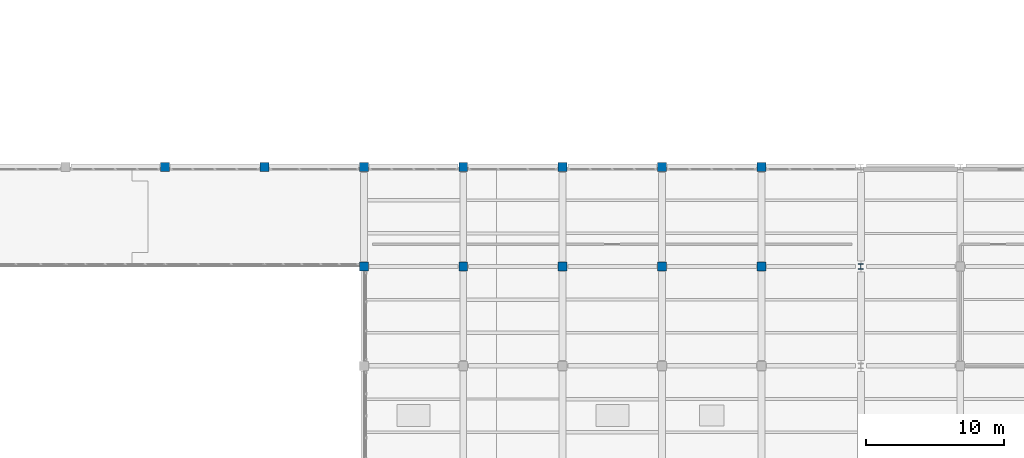
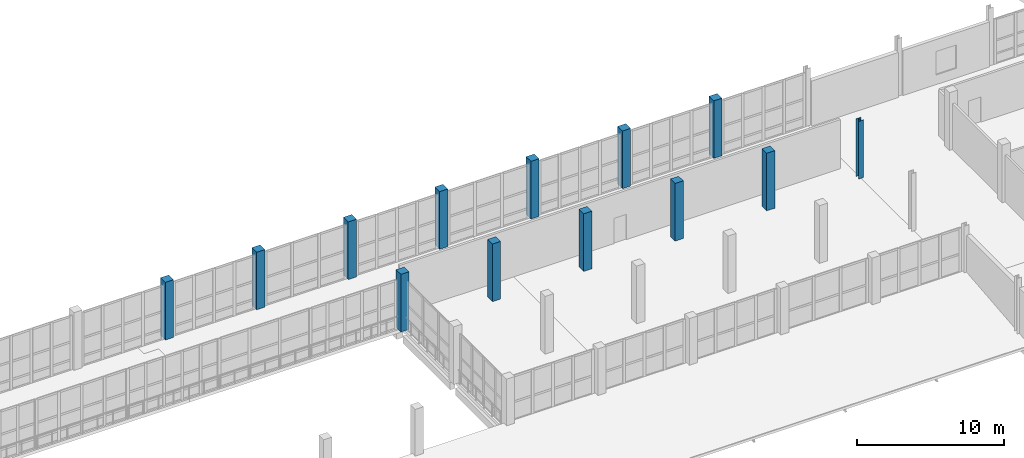
# One storey, part 3 of 127: 13 columns.
"""IFC4 building model written with IfcOpenShell, lengths in metres."""

import ifcopenshell
import ifcopenshell.guid

model = None  # the IFC model being written
_history = None  # IfcOwnerHistory: only IFC2X3 demands one
_inside = {}  # id of a spatial element -> (the spatial element, [elements in it])
_under = {}  # id of a project, library or spatial element -> (it, [spatial elements below it])
_declared = {}  # id of a project -> (the project, [libraries it declares])
_typed = {}  # id of a type object -> (the type object, [elements of that type])
_made_of = {}  # id of a material, layer set ... -> (it, [elements and type objects made of it])


def new_model(schema):
    """Start an empty IFC model of exactly this schema.

    Asked for "IFC4X3", IfcOpenShell would pick the latest addendum, in which some entities
    have other attributes; the version numbers below select the first issue.
    IFC2X3 requires an IfcOwnerHistory on every rooted entity: one is made here for all.
    """
    global model, _history
    if schema == "IFC4X3":
        model = ifcopenshell.file(schema_version=(4, 3, 0, 0))
    else:
        model = ifcopenshell.file(schema=schema)
    _inside.clear()
    _under.clear()
    _declared.clear()
    _typed.clear()
    _made_of.clear()
    _history = None
    if model.schema == "IFC2X3":
        org = make("IfcOrganization", Name="unknown")
        user = make(
            "IfcPersonAndOrganization",
            ThePerson=make("IfcPerson", FamilyName="unknown"),
            TheOrganization=org,
        )
        app = make(
            "IfcApplication",
            ApplicationDeveloper=org,
            Version="unknown",
            ApplicationFullName="unknown",
            ApplicationIdentifier="unknown",
        )
        _history = make(
            "IfcOwnerHistory",
            OwningUser=user,
            OwningApplication=app,
            ChangeAction="ADDED",
            CreationDate=0,
        )
    return model


def make(cls, **values):
    """One entity of the class cls with the attributes given. An attribute that is None is left unset."""
    return model.create_entity(
        cls, **{name: value for name, value in values.items() if value is not None}
    )


def rooted(cls, **values):
    """An entity with a GlobalId (a new one), such as an element, a storey or a relation."""
    return make(cls, GlobalId=ifcopenshell.guid.new(), OwnerHistory=_history, **values)


def si_unit(unit_type, name, prefix=None):
    """IfcSIUnit, for example si_unit("LENGTHUNIT", "METRE", prefix="MILLI")."""
    return make("IfcSIUnit", UnitType=unit_type, Prefix=prefix, Name=name)


def assignment(units):
    """IfcUnitAssignment: the units of a project."""
    return None if units is None else make("IfcUnitAssignment", Units=units)


def point(xyz):
    """IfcCartesianPoint."""
    return None if xyz is None else make("IfcCartesianPoint", Coordinates=xyz)


def direction(xyz):
    """IfcDirection."""
    return None if xyz is None else make("IfcDirection", DirectionRatios=xyz)


def frame(location, z_axis=None, x_axis=None):
    """IfcAxis2Placement3D, a coordinate frame: its origin and axes. An axis left out is left unset."""
    return make(
        "IfcAxis2Placement3D",
        Location=point(location),
        Axis=direction(z_axis),
        RefDirection=direction(x_axis),
    )


def frame_2d(location, x_axis=None):
    """IfcAxis2Placement2D, a coordinate frame in the plane: its origin and x axis."""
    return make(
        "IfcAxis2Placement2D", Location=point(location), RefDirection=direction(x_axis)
    )


def origin():
    """The frame at (0, 0, 0) with its axes left unset."""
    return frame((0.0, 0.0, 0.0))


def origin_2d():
    """The frame at (0, 0) in the plane with its x axis left unset."""
    return frame_2d((0.0, 0.0))


def place(relative_to, where):
    """IfcLocalPlacement: puts the frame where relative to a parent placement (None: the world)."""
    return make(
        "IfcLocalPlacement", PlacementRelTo=relative_to, RelativePlacement=where
    )


def context(
    kind, dimensions, precision=None, world=None, true_north=None, identifier=None
):
    """IfcGeometricRepresentationContext, for example the 3D "Model" context."""
    return make(
        "IfcGeometricRepresentationContext",
        ContextIdentifier=identifier,
        ContextType=kind,
        CoordinateSpaceDimension=dimensions,
        Precision=precision,
        WorldCoordinateSystem=world,
        TrueNorth=true_north,
    )


def subcontext(parent, identifier, kind, view, scale=None):
    """IfcGeometricRepresentationSubContext, for example "Body" below "Model"."""
    return make(
        "IfcGeometricRepresentationSubContext",
        ContextIdentifier=identifier,
        ContextType=kind,
        ParentContext=parent,
        TargetScale=scale,
        TargetView=view,
    )


def project(units=None, contexts=None):
    """IfcProject with its units and contexts."""
    return rooted(
        "IfcProject",
        Name="project",
        RepresentationContexts=contexts,
        UnitsInContext=assignment(units),
    )


def spatial(cls, under=None, at=None, **own):
    """A site, building, storey or space (cls), placed at a placement, below another one or the project."""
    s = rooted(cls, ObjectPlacement=at, **own)
    if under is not None:
        _under.setdefault(under.id(), (under, []))[1].append(s)
    return s


def profile(cls, at=None, kind="AREA", **sizes):
    """A parametric profile (cls). Its sizes go by their IFC names, for example OverallWidth=200.0."""
    return make(cls, ProfileType=kind, Position=at, **sizes)


def rectangle(**sizes):
    """IfcRectangleProfileDef."""
    return profile("IfcRectangleProfileDef", **sizes)


def i_section(**sizes):
    """IfcIShapeProfileDef."""
    return profile("IfcIShapeProfileDef", **sizes)


def extrude(swept, where, along, depth):
    """IfcExtrudedAreaSolid: the profile swept, set in the frame where, extruded along a direction by depth."""
    return make(
        "IfcExtrudedAreaSolid",
        SweptArea=swept,
        Position=where,
        ExtrudedDirection=direction(along),
        Depth=depth,
    )


def shape(context_of_items, identifier, shape_type, items):
    """IfcShapeRepresentation: the items that make up one representation, for example the "Body"."""
    return make(
        "IfcShapeRepresentation",
        ContextOfItems=context_of_items,
        RepresentationIdentifier=identifier,
        RepresentationType=shape_type,
        Items=items,
    )


def material(Name=None, Category=None):
    """IfcMaterial."""
    return make("IfcMaterial", Name=Name, Category=Category)


def material_profile(
    of_material, cross_section, Name=None, Category=None, Priority=None
):
    """IfcMaterialProfile: a cross section and its material."""
    return make(
        "IfcMaterialProfile",
        Name=Name,
        Material=of_material,
        Profile=cross_section,
        Priority=Priority,
        Category=Category,
    )


def profile_set(profiles, Name=None, composite=None):
    """IfcMaterialProfileSet."""
    return make(
        "IfcMaterialProfileSet",
        Name=Name,
        MaterialProfiles=profiles,
        CompositeProfile=composite,
    )


def made_of(thing, what):
    """Note that an element or type object is made of a material, layer set ...; save() writes the relation."""
    if what is not None:
        _made_of.setdefault(what.id(), (what, []))[1].append(thing)
    return thing


def type_object(cls, material=None, **own):
    """A type object (cls), such as IfcWallType, which elements share."""
    return made_of(rooted(cls, **own), material)


def element(
    cls,
    number,
    at=None,
    inside=None,
    cuts=None,
    type_object=None,
    material=None,
    context=None,
    identifier="Body",
    shape_type=None,
    held_by="IfcProductDefinitionShape",
    body=None,
    shapes=None,
    **own,
):
    """One element of the class cls, such as IfcWall. Its Tag is "e" and its number.

    at: its placement. inside: the storey or other place that contains it. cuts: it is an
    opening in that element (IfcRelVoidsElement). A single representation is given by context,
    identifier, shape_type and body (its items); several are given by shapes. held_by: the class
    of the entity that holds the representations. save() writes the other relations.
    """
    e = rooted(cls, Tag="e%d" % number, ObjectPlacement=at, **own)
    if body is not None:
        shapes = [shape(context, identifier, shape_type, body)]
    if shapes is not None:
        e.Representation = make(held_by, Representations=shapes)
    if inside is not None:
        _inside.setdefault(inside.id(), (inside, []))[1].append(e)
    if cuts is not None:
        rooted(
            "IfcRelVoidsElement", RelatingBuildingElement=cuts, RelatedOpeningElement=e
        )
    if type_object is not None:
        _typed.setdefault(type_object.id(), (type_object, []))[1].append(e)
    return made_of(e, material)


def aggregate(whole, parts):
    """IfcRelAggregates: a whole, such as a stair, and the parts it consists of."""
    return rooted("IfcRelAggregates", RelatingObject=whole, RelatedObjects=parts)


def save(model, path):
    """Write the relations noted so far, then the file.

    IfcRelAggregates (storeys below a building ...), IfcRelContainedInSpatialStructure (elements
    in a storey), IfcRelDefinesByType, IfcRelAssociatesMaterial and IfcRelDeclares: one each for
    every whole, place, type object, material and project.
    """
    for whole, parts in _under.values():
        aggregate(whole, parts)
    for where, things in _inside.values():
        rooted(
            "IfcRelContainedInSpatialStructure",
            RelatedElements=things,
            RelatingStructure=where,
        )
    for kind, things in _typed.values():
        rooted("IfcRelDefinesByType", RelatedObjects=things, RelatingType=kind)
    for what, things in _made_of.values():
        rooted("IfcRelAssociatesMaterial", RelatedObjects=things, RelatingMaterial=what)
    for by, libraries in _declared.values():
        rooted("IfcRelDeclares", RelatingContext=by, RelatedDefinitions=libraries)
    model.write(path)


model = new_model("IFC4")

# Units and contexts
model_context = context("Model", 3, precision=1e-05, world=origin(), true_north=direction((0.0, 1.0)))
body_context = subcontext(model_context, "Body", "Model", "MODEL_VIEW")
ifc_project = project(units=[si_unit("LENGTHUNIT", "METRE"), si_unit("AREAUNIT", "SQUARE_METRE"), si_unit("VOLUMEUNIT", "CUBIC_METRE"), si_unit("PLANEANGLEUNIT", "RADIAN"), si_unit("MASSUNIT", "GRAM", prefix="KILO")], contexts=[model_context])

# Site, building, storey
site_placement = place(None, origin())
site = spatial("IfcSite", under=ifc_project, at=site_placement, CompositionType="ELEMENT")
building_placement = place(site_placement, origin())
building = spatial("IfcBuilding", under=site, at=building_placement, Name="Kalmorath City Hall", CompositionType="ELEMENT")
storey_placement = place(building_placement, frame((0.0, 0.0, 5.39990234375)))
storey = spatial("IfcBuildingStorey", under=building, at=storey_placement, Name="L01", CompositionType="ELEMENT", Elevation=5.39990234375)

# Columns
ifc_material_1 = material(Name="Concrete C50/60", Category="concrete")
ifc_material_profile_1 = material_profile(ifc_material_1, rectangle(XDim=0.64990234375, YDim=0.64990234375, at=origin_2d()), Name="RC-COL-650X650")
ifc_profile_set_1 = profile_set([ifc_material_profile_1], Name="Concrete C50/60")
column_type_1 = type_object("IfcColumnType", Name="Concrete column 650x650", PredefinedType="COLUMN", material=ifc_profile_set_1)
for number, where, z_axis, x_axis, name in (
    (1, (64.800048828125, 43.199951171875, 0.0), (0.0, 0.0, 1.0), (1.0, 0.0, 0.0), "L01 column C5 (10/7)"),
    (2, (72.0, 43.199951171875, 0.0), (0.0, 0.0, 1.0), (1.0, 0.0, 0.0), "L01 column C5 (11/7)"),
    (3, (79.199951171875, 36.0, 0.0), (0.0, 0.0, 1.0), (1.0, 0.0, 0.0), "L01 column C5 (12/6)"),
    (4, (79.199951171875, 43.199951171875, 0.0), (0.0, 0.0, 1.0), (1.0, 0.0, 0.0), "L01 column C5 (12/7)"),
    (5, (86.39990234375, 36.0, 0.0), (0.0, 0.0, 1.0), (1.0, 0.0, 0.0), "L01 column C5 (13/6)"),
    (6, (86.39990234375, 43.199951171875, 0.0), (0.0, 0.0, 1.0), (1.0, 0.0, 0.0), "L01 column C5 (13/7)"),
    (7, (93.60009765625, 36.0, 0.0), (0.0, 0.0, 1.0), (1.0, 0.0, 0.0), "L01 column C5 (14/6)"),
    (8, (93.60009765625, 43.199951171875, 0.0), (0.0, 0.0, 1.0), (1.0, 0.0, 0.0), "L01 column C5 (14/7)"),
    (9, (100.800048828125, 36.0, 0.0), (0.0, 0.0, 1.0), (1.0, 0.0, 0.0), "L01 column C5 (15/6)"),
    (10, (100.800048828125, 43.199951171875, 0.0), (0.0, 0.0, 1.0), (1.0, 0.0, 0.0), "L01 column C5 (15/7)"),
    (11, (108.0, 36.0, 0.0), (0.0, 0.0, 1.0), (1.0, 0.0, 0.0), "L01 column C5 (16/6)"),
    (12, (108.0, 43.199951171875, 0.0), (0.0, 0.0, 1.0), (1.0, 0.0, 0.0), "L01 column C5 (16/7)"),
):
    element("IfcColumn", number, at=place(storey_placement, frame(where, z_axis=z_axis, x_axis=x_axis)), inside=storey, type_object=column_type_1, Name=name, PredefinedType="COLUMN", context=body_context, shape_type="SweptSolid", body=[
        extrude(rectangle(XDim=0.64990234375, YDim=0.64990234375, at=origin_2d()), origin(), (0.0, 0.0, 1.0), 4.800048828125),
    ])
ifc_material_2 = material(Name="Steel ASTM A992 Grade 50", Category="steel")
ifc_material_profile_2 = material_profile(ifc_material_2, i_section(OverallWidth=0.3740234375, OverallDepth=0.3720703125, WebThickness=0.016357421875, FlangeThickness=0.026123046875, FilletRadius=0.01806640625, at=origin_2d()), Name="W14X132")
ifc_profile_set_2 = profile_set([ifc_material_profile_2], Name="Steel ASTM A992 Grade 50")
column_type_2 = type_object("IfcColumnType", Name="Steel wide-flange column W14X132", PredefinedType="COLUMN", material=ifc_profile_set_2)
column_placement = place(storey_placement, frame((115.199951171875, 36.0, 0.0), z_axis=(0.0, 0.0, 1.0), x_axis=(1.0, 0.0, 0.0)))
element("IfcColumn", 13, at=column_placement, inside=storey, type_object=column_type_2, Name="L01 column SC2 (17/6)", PredefinedType="COLUMN", context=body_context, shape_type="SweptSolid", body=[
    extrude(i_section(OverallWidth=0.3740234375, OverallDepth=0.3720703125, WebThickness=0.016357421875, FlangeThickness=0.026123046875, FilletRadius=0.01806640625, at=origin_2d()), origin(), (0.0, 0.0, 1.0), 4.800048828125),
])

save(model, "model.ifc")
